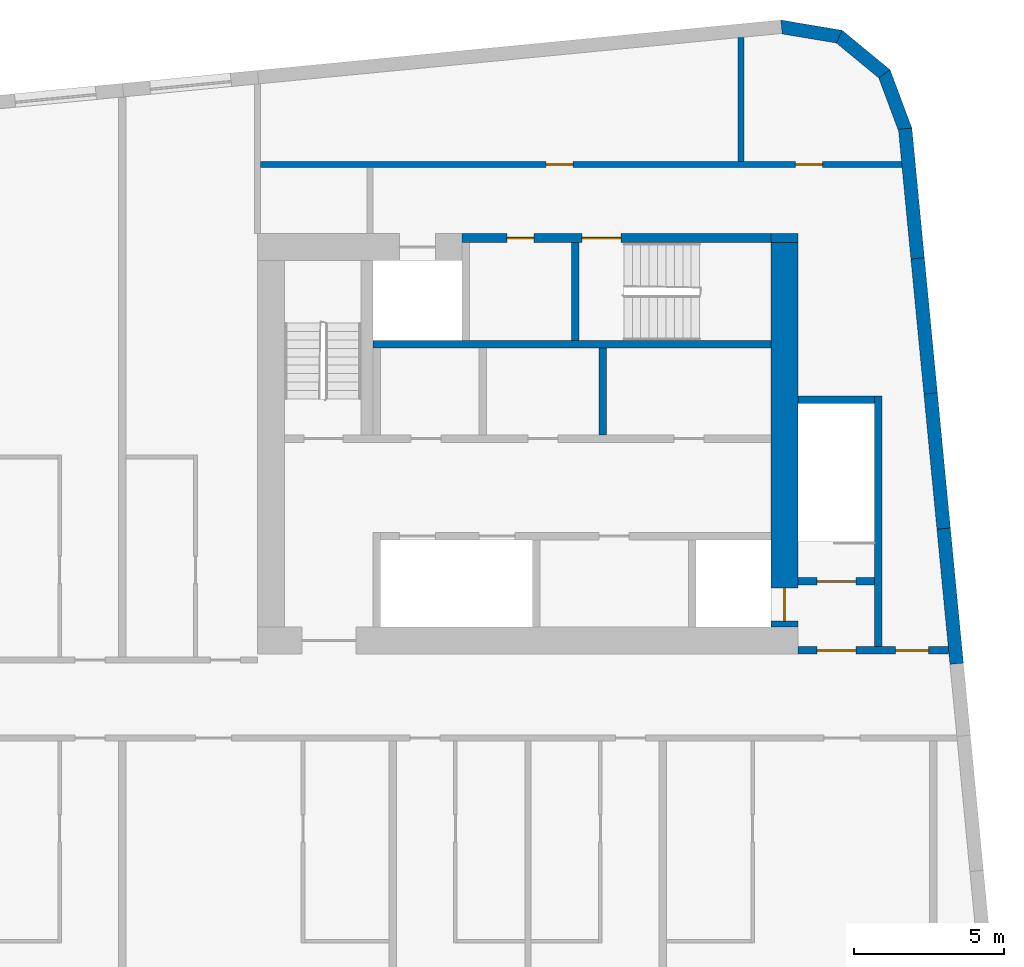
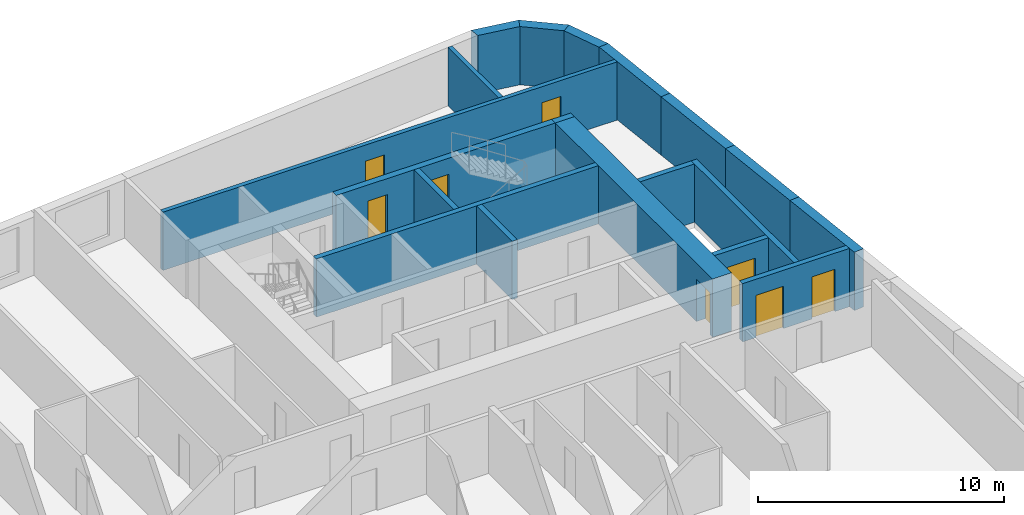
# One storey, part 8 of 11: 19 walls, 8 doors, 8 openings.
"""IFC4 building model written with IfcOpenShell, lengths in metres."""

from ifc_helpers import new_model, si_unit, direction, frame, frame_2d, origin, place, context, subcontext, project, spatial, polyline, rectangle, outline, extrude, material, layer, layer_set, type_object, element, fill, save


model = new_model("IFC4")

# Units and contexts
model_context = context("Model", 3, precision=1e-05, world=origin(), true_north=direction((0.0, 1.0)))
body_context = subcontext(model_context, "Body", "Model", "MODEL_VIEW")
ifc_project = project(units=[si_unit("LENGTHUNIT", "METRE"), si_unit("AREAUNIT", "SQUARE_METRE"), si_unit("VOLUMEUNIT", "CUBIC_METRE"), si_unit("PLANEANGLEUNIT", "RADIAN"), si_unit("MASSUNIT", "GRAM", prefix="KILO")], contexts=[model_context])

# Site, building, storey
site_placement = place(None, origin())
site = spatial("IfcSite", under=ifc_project, at=site_placement, CompositionType="ELEMENT")
building_placement = place(site_placement, origin())
building = spatial("IfcBuilding", under=site, at=building_placement, Name="Kajstack Hotel Tower", CompositionType="ELEMENT")
storey_placement = place(building_placement, frame((0.0, 0.0, 304.800048828125)))
storey = spatial("IfcBuildingStorey", under=building, at=storey_placement, Name="L77", CompositionType="ELEMENT", Elevation=304.800048828125)

# Wall
ifc_material_1 = material(Name="Concrete C60/75", Category="concrete")
ifc_layer_1 = layer(ifc_material_1, 0.89990234375)
ifc_layer_set_1 = layer_set([ifc_layer_1], Name="Core wall 900")
wall_type_1 = type_object("IfcWallType", Name="Core wall 900", PredefinedType="SHEAR", material=ifc_layer_set_1)
wall_1_placement = place(storey_placement, frame((30.60009765625, 15.35009765625, 0.0), z_axis=(0.0, 0.0, 1.0), x_axis=(1.0, 0.0, 0.0)))
element("IfcWall", 1, at=wall_1_placement, inside=storey, type_object=wall_type_1, Name="Core wall E RSW", PredefinedType="SHEAR", context=body_context, shape_type="SweptSolid", body=[
    extrude(rectangle(XDim=0.89990234375, YDim=0.300048828125, at=frame_2d((0.449951171875, 0.0))), origin(), (0.0, 0.0, 1.0), 2.89990234375),
])

# Wall, opening, door
wall_2_placement = place(storey_placement, frame((31.050048828125, 2.39990234375, 0.0), z_axis=(0.0, 0.0, 1.0), x_axis=(0.0, 1.0, 0.0)))
wall_2 = element("IfcWall", 2, at=wall_2_placement, inside=storey, type_object=wall_type_1, Name="Core wall E RW", PredefinedType="SHEAR", context=body_context, shape_type="SweptSolid", body=[
    extrude(rectangle(XDim=12.800048828125, YDim=0.89990234375, at=frame_2d((6.39990234375, 0.0))), origin(), (0.0, 0.0, 1.0), 2.89990234375),
])
opening_1_placement = place(wall_2_placement, frame((0.199951171875, 0.0, 0.0)))
opening_1 = element("IfcOpeningElement", 3, at=opening_1_placement, cuts=wall_2, Name="Opening LD-FF2", PredefinedType="OPENING", context=body_context, shape_type="SweptSolid", body=[
    extrude(rectangle(XDim=1.10009765625, YDim=2.10009765625, at=frame_2d((0.550048828125, 1.050048828125))), frame((0.0, 0.4599609375, 0.0), z_axis=(0.0, -1.0, 0.0), x_axis=(1.0, 0.0, 0.0)), (0.0, 0.0, 1.0), 0.919921875),
])
ifc_material_2 = material(Name="Stainless steel", Category="steel")
door_type_1 = type_object("IfcDoorType", Name="Fire-fighting lift landing door 1100", OperationType="SLIDING_TO_LEFT", PredefinedType="DOOR", material=ifc_material_2)
door_1_placement = place(opening_1_placement, origin())
door_1 = element("IfcDoor", 4, at=door_1_placement, inside=storey, type_object=door_type_1, Name="Landing door FF2", OperationType="SLIDING_TO_LEFT", OverallHeight=2.10009765625, OverallWidth=1.10009765625, PredefinedType="DOOR", context=body_context, shape_type="SweptSolid", body=[
    extrude(rectangle(XDim=1.10009765625, YDim=2.10009765625, at=frame_2d((0.550048828125, 1.050048828125))), frame((0.0, 0.02490234375, 0.0), z_axis=(0.0, -1.0, 0.0), x_axis=(1.0, 0.0, 0.0)), (0.0, 0.0, 1.0), 0.050048828125),
])
fill(opening_1, door_1)

# Walls
ifc_material_3 = material(Name="Concrete C40/50", Category="concrete")
ifc_layer_2 = layer(ifc_material_3, 0.449951171875)
ifc_layer_set_2 = layer_set([ifc_layer_2], Name="EW-CORE")
wall_type_2 = type_object("IfcWallType", Name="EW-CORE", PredefinedType="SOLIDWALL", material=ifc_layer_set_2)
for number, where, z_axis, x_axis, name in (
    (5, (36.78076171875, 1.178466796875, 0.0), (0.0, 0.0, 1.0), (-0.095856468129, 0.995395166513, 0.0), "E-wall-L77-08-04"),
    (6, (36.347412109375, 5.678466796875, 0.0), (0.0, 0.0, 1.0), (-0.095856468129, 0.995395166513, 0.0), "E-wall-L77-08-05"),
    (7, (35.9140625, 10.178466796875, 0.0), (0.0, 0.0, 1.0), (-0.09580296028, 0.995400317863, 0.0), "E-wall-L77-08-06"),
):
    element("IfcWall", number, at=place(storey_placement, frame(where, z_axis=z_axis, x_axis=x_axis)), inside=storey, type_object=wall_type_2, Name=name, PredefinedType="SOLIDWALL", context=body_context, shape_type="SweptSolid", body=[
        extrude(rectangle(XDim=4.520751953125, YDim=0.449951171875, at=frame_2d((2.26025390625, 0.0))), origin(), (0.0, 0.0, 1.0), 2.89990234375),
    ])
wall_3_placement = place(storey_placement, frame((35.48095703125, 14.678466796875, 0.0), z_axis=(0.0, 0.0, 1.0), x_axis=(-0.095879759522, 0.995392923279, 0.0)))
element("IfcWall", 8, at=wall_3_placement, inside=storey, type_object=wall_type_2, Name="E-wall-L77-08-07", PredefinedType="SOLIDWALL", context=body_context, shape_type="SweptSolid", body=[
    extrude(rectangle(XDim=4.33642578125, YDim=0.449951171875, at=frame_2d((2.168212890625, 0.0))), origin(), (0.0, 0.0, 1.0), 2.89990234375),
])
wall_4_placement = place(storey_placement, frame((35.078369140625, 18.9375, 0.0), z_axis=(0.0, 0.0, 1.0), x_axis=(-0.350192909346, 0.936677599948, 0.0)))
element("IfcWall", 9, at=wall_4_placement, inside=storey, type_object=wall_type_2, Name="E-wall-L77-09-00", PredefinedType="SOLIDWALL", context=body_context, shape_type="SweptSolid", body=[
    extrude(outline(polyline([(0.0, -0.22509765625), (2.070556640625, -0.22509765625), (1.949951171875, 0.224853515625), (0.12060546875, 0.224853515625), (0.0, -0.22509765625)])), origin(), (0.0, 0.0, 1.0), 2.89990234375),
])
wall_5_placement = place(storey_placement, frame((34.4208984375, 20.7822265625, 0.0), z_axis=(0.0, 0.0, 1.0), x_axis=(-0.771593176315, 0.636116318187, 0.0)))
element("IfcWall", 10, at=wall_5_placement, inside=storey, type_object=wall_type_2, Name="E-wall-L77-10-00", PredefinedType="SOLIDWALL", context=body_context, shape_type="SweptSolid", body=[
    extrude(outline(polyline([(0.0, -0.22509765625), (2.070556640625, -0.224853515625), (1.949951171875, 0.22509765625), (0.120361328125, 0.22509765625), (0.0, -0.22509765625)])), origin(), (0.0, 0.0, 1.0), 2.89990234375),
])
wall_6_placement = place(storey_placement, frame((32.92919921875, 22.051025390625, 0.0), z_axis=(0.0, 0.0, 1.0), x_axis=(-0.986298144721, 0.164972633245, 0.0)))
element("IfcWall", 11, at=wall_6_placement, inside=storey, type_object=wall_type_2, Name="E-wall-L77-11-00", PredefinedType="SOLIDWALL", context=body_context, shape_type="SweptSolid", body=[
    extrude(outline(polyline([(0.0, -0.224853515625), (2.0703125, -0.22509765625), (1.949951171875, 0.224853515625), (0.12060546875, 0.22509765625), (0.0, -0.224853515625)])), origin(), (0.0, 0.0, 1.0), 2.89990234375),
])
ifc_material_4 = material(Name="Concrete block masonry", Category="masonry")
ifc_layer_3 = layer(ifc_material_4, 0.25)
ifc_layer_set_3 = layer_set([ifc_layer_3], Name="Riser partition 250")
wall_type_3 = type_object("IfcWallType", Name="Riser partition 250", PredefinedType="PARTITIONING", material=ifc_layer_set_3)
wall_7_placement = place(storey_placement, frame((25.0, 8.800048828125, 0.0), z_axis=(0.0, 0.0, 1.0), x_axis=(0.0, 1.0, 0.0)))
element("IfcWall", 12, at=wall_7_placement, inside=storey, type_object=wall_type_3, Name="Partition E BF0", PredefinedType="PARTITIONING", context=body_context, shape_type="SweptSolid", body=[
    extrude(rectangle(XDim=2.89990234375, YDim=0.25, at=frame_2d((1.449951171875, 0.0))), origin(), (0.0, 0.0, 1.0), 2.89990234375),
])

# Wall, openings, doors
ifc_material_5 = material(Name="Gypsum board on steel studs, mineral wool", Category="steel")
ifc_layer_4 = layer(ifc_material_5, 0.199951171875)
ifc_layer_set_4 = layer_set([ifc_layer_4], Name="Service partition 200")
wall_type_4 = type_object("IfcWallType", Name="Service partition 200", PredefinedType="PARTITIONING", material=ifc_layer_set_4)
wall_8_placement = place(storey_placement, frame((31.5, 1.625, 0.0), z_axis=(0.0, 0.0, 1.0), x_axis=(1.0, 0.0, 0.0)))
wall_8 = element("IfcWall", 13, at=wall_8_placement, inside=storey, type_object=wall_type_4, Name="Partition E SN", PredefinedType="PARTITIONING", context=body_context, shape_type="SweptSolid", body=[
    extrude(rectangle(XDim=5.01171875, YDim=0.25, at=frame_2d((2.505859375, 0.0))), origin(), (0.0, 0.0, 1.0), 2.89990234375),
])
opening_2_placement = place(wall_8_placement, frame((0.625, 0.0, 0.0)))
opening_2 = element("IfcOpeningElement", 14, at=opening_2_placement, cuts=wall_8, Name="Opening 77E06", PredefinedType="OPENING", context=body_context, shape_type="SweptSolid", body=[
    extrude(rectangle(XDim=1.300048828125, YDim=2.10009765625, at=frame_2d((0.64990234375, 1.050048828125))), frame((0.0, 0.135009765625, 0.0), z_axis=(0.0, -1.0, 0.0), x_axis=(1.0, 0.0, 0.0)), (0.0, 0.0, 1.0), 0.27001953125),
])
opening_3_placement = place(wall_8_placement, frame((3.25, 0.0, 0.0)))
opening_3 = element("IfcOpeningElement", 15, at=opening_3_placement, cuts=wall_8, Name="Opening 77E08", PredefinedType="OPENING", context=body_context, shape_type="SweptSolid", body=[
    extrude(rectangle(XDim=1.10009765625, YDim=2.10009765625, at=frame_2d((0.550048828125, 1.050048828125))), frame((0.0, 0.135009765625, 0.0), z_axis=(0.0, -1.0, 0.0), x_axis=(1.0, 0.0, 0.0)), (0.0, 0.0, 1.0), 0.27001953125),
])
ifc_material_6 = material(Name="Steel leaf, fire-rated", Category="steel")
door_type_2 = type_object("IfcDoorType", Name="Fire lobby door 1300", OperationType="SINGLE_SWING_LEFT", PredefinedType="DOOR", material=ifc_material_6)
door_2_placement = place(opening_2_placement, origin())
door_2 = element("IfcDoor", 16, at=door_2_placement, inside=storey, type_object=door_type_2, Name="Door 77E06", OperationType="SINGLE_SWING_LEFT", OverallHeight=2.10009765625, OverallWidth=1.300048828125, PredefinedType="DOOR", context=body_context, shape_type="SweptSolid", body=[
    extrude(rectangle(XDim=1.300048828125, YDim=2.10009765625, at=frame_2d((0.64990234375, 1.050048828125))), frame((0.0, 0.02490234375, 0.0), z_axis=(0.0, -1.0, 0.0), x_axis=(1.0, 0.0, 0.0)), (0.0, 0.0, 1.0), 0.050048828125),
])
fill(opening_2, door_2)
ifc_material_7 = material(Name="Timber leaf, fire-rated", Category="wood")
door_type_3 = type_object("IfcDoorType", Name="Service corridor door 1100", OperationType="SINGLE_SWING_LEFT", PredefinedType="DOOR", material=ifc_material_7)
door_3_placement = place(opening_3_placement, origin())
door_3 = element("IfcDoor", 17, at=door_3_placement, inside=storey, type_object=door_type_3, Name="Door 77E08", OperationType="SINGLE_SWING_LEFT", OverallHeight=2.10009765625, OverallWidth=1.10009765625, PredefinedType="DOOR", context=body_context, shape_type="SweptSolid", body=[
    extrude(rectangle(XDim=1.10009765625, YDim=2.10009765625, at=frame_2d((0.550048828125, 1.050048828125))), frame((0.0, 0.02490234375, 0.0), z_axis=(0.0, -1.0, 0.0), x_axis=(1.0, 0.0, 0.0)), (0.0, 0.0, 1.0), 0.050048828125),
])
fill(opening_3, door_3)

wall_9_placement = place(storey_placement, frame((13.60009765625, 17.800048828125, 0.0), z_axis=(0.0, 0.0, 1.0), x_axis=(1.0, 0.0, 0.0)))
wall_9 = element("IfcWall", 18, at=wall_9_placement, inside=storey, type_object=wall_type_4, Name="Partition E SLN", PredefinedType="PARTITIONING", context=body_context, shape_type="SweptSolid", body=[
    extrude(rectangle(XDim=21.35400390625, YDim=0.199951171875, at=frame_2d((10.677001953125, 0.0))), origin(), (0.0, 0.0, 1.0), 2.89990234375),
])
opening_4_placement = place(wall_9_placement, frame((17.8125, 0.0, 0.0)))
opening_4 = element("IfcOpeningElement", 19, at=opening_4_placement, cuts=wall_9, Name="Opening 77E16", PredefinedType="OPENING", context=body_context, shape_type="SweptSolid", body=[
    extrude(rectangle(XDim=0.89990234375, YDim=2.10009765625, at=frame_2d((0.449951171875, 1.050048828125))), frame((0.0, 0.10986328125, 0.0), z_axis=(0.0, -1.0, 0.0), x_axis=(1.0, 0.0, 0.0)), (0.0, 0.0, 1.0), 0.219970703125),
])
opening_5_placement = place(wall_9_placement, frame((9.512451171875, 0.0, 0.0)))
opening_5 = element("IfcOpeningElement", 20, at=opening_5_placement, cuts=wall_9, Name="Opening 77E17", PredefinedType="OPENING", context=body_context, shape_type="SweptSolid", body=[
    extrude(rectangle(XDim=0.89990234375, YDim=2.10009765625, at=frame_2d((0.449951171875, 1.050048828125))), frame((0.0, 0.10986328125, 0.0), z_axis=(0.0, -1.0, 0.0), x_axis=(1.0, 0.0, 0.0)), (0.0, 0.0, 1.0), 0.219970703125),
])
door_type_4 = type_object("IfcDoorType", Name="Service door 900", OperationType="SINGLE_SWING_LEFT", PredefinedType="DOOR", material=ifc_material_7)
door_4_placement = place(opening_4_placement, origin())
door_4 = element("IfcDoor", 21, at=door_4_placement, inside=storey, type_object=door_type_4, Name="Door 77E16", OperationType="SINGLE_SWING_LEFT", OverallHeight=2.10009765625, OverallWidth=0.89990234375, PredefinedType="DOOR", context=body_context, shape_type="SweptSolid", body=[
    extrude(rectangle(XDim=0.89990234375, YDim=2.10009765625, at=frame_2d((0.449951171875, 1.050048828125))), frame((0.0, 0.02490234375, 0.0), z_axis=(0.0, -1.0, 0.0), x_axis=(1.0, 0.0, 0.0)), (0.0, 0.0, 1.0), 0.050048828125),
])
fill(opening_4, door_4)
door_5_placement = place(opening_5_placement, origin())
door_5 = element("IfcDoor", 22, at=door_5_placement, inside=storey, type_object=door_type_4, Name="Door 77E17", OperationType="SINGLE_SWING_LEFT", OverallHeight=2.10009765625, OverallWidth=0.89990234375, PredefinedType="DOOR", context=body_context, shape_type="SweptSolid", body=[
    extrude(rectangle(XDim=0.89990234375, YDim=2.10009765625, at=frame_2d((0.449951171875, 1.050048828125))), frame((0.0, 0.02490234375, 0.0), z_axis=(0.0, -1.0, 0.0), x_axis=(1.0, 0.0, 0.0)), (0.0, 0.0, 1.0), 0.050048828125),
])
fill(opening_5, door_5)

# Wall
wall_10_placement = place(storey_placement, frame((29.60009765625, 17.89990234375, 0.0), z_axis=(0.0, 0.0, 1.0), x_axis=(0.0, 1.0, 0.0)))
element("IfcWall", 23, at=wall_10_placement, inside=storey, type_object=wall_type_4, Name="Partition E SLP0", PredefinedType="PARTITIONING", context=body_context, shape_type="SweptSolid", body=[
    extrude(rectangle(XDim=4.135986328125, YDim=0.199951171875, at=frame_2d((2.06787109375, 0.0))), origin(), (0.0, 0.0, 1.0), 2.89990234375),
])

# Wall, openings, doors
ifc_material_8 = material(Name="Concrete C50/60", Category="concrete")
ifc_layer_5 = layer(ifc_material_8, 0.25)
ifc_layer_set_5 = layer_set([ifc_layer_5], Name="Shaft wall 250")
wall_type_5 = type_object("IfcWallType", Name="Shaft wall 250", PredefinedType="SHEAR", material=ifc_layer_set_5)
wall_11_placement = place(storey_placement, frame((20.300048828125, 15.35009765625, 0.0), z_axis=(0.0, 0.0, 1.0), x_axis=(1.0, 0.0, 0.0)))
wall_11 = element("IfcWall", 24, at=wall_11_placement, inside=storey, type_object=wall_type_5, Name="Core wall E RSS", PredefinedType="SHEAR", context=body_context, shape_type="SweptSolid", body=[
    extrude(rectangle(XDim=10.300048828125, YDim=0.300048828125, at=frame_2d((5.14990234375, 0.0))), origin(), (0.0, 0.0, 1.0), 2.89990234375),
])
opening_6_placement = place(wall_11_placement, frame((4.0, 0.0, 0.0)))
opening_6 = element("IfcOpeningElement", 25, at=opening_6_placement, cuts=wall_11, Name="Opening 77E10", PredefinedType="OPENING", context=body_context, shape_type="SweptSolid", body=[
    extrude(rectangle(XDim=1.300048828125, YDim=2.10009765625, at=frame_2d((0.64990234375, 1.050048828125))), frame((0.0, 0.159912109375, 0.0), z_axis=(0.0, -1.0, 0.0), x_axis=(1.0, 0.0, 0.0)), (0.0, 0.0, 1.0), 0.320068359375),
])
opening_7_placement = place(wall_11_placement, frame((1.5, 0.0, 0.0)))
opening_7 = element("IfcOpeningElement", 26, at=opening_7_placement, cuts=wall_11, Name="Opening 77E11", PredefinedType="OPENING", context=body_context, shape_type="SweptSolid", body=[
    extrude(rectangle(XDim=0.89990234375, YDim=2.10009765625, at=frame_2d((0.449951171875, 1.050048828125))), frame((0.0, 0.159912109375, 0.0), z_axis=(0.0, -1.0, 0.0), x_axis=(1.0, 0.0, 0.0)), (0.0, 0.0, 1.0), 0.320068359375),
])
door_6_placement = place(opening_7_placement, origin())
door_6 = element("IfcDoor", 27, at=door_6_placement, inside=storey, type_object=door_type_4, Name="Door 77E11", OperationType="SINGLE_SWING_RIGHT", OverallHeight=2.10009765625, OverallWidth=0.89990234375, PredefinedType="DOOR", context=body_context, shape_type="SweptSolid", body=[
    extrude(rectangle(XDim=0.89990234375, YDim=2.10009765625, at=frame_2d((0.449951171875, 1.050048828125))), frame((0.0, 0.02490234375, 0.0), z_axis=(0.0, -1.0, 0.0), x_axis=(1.0, 0.0, 0.0)), (0.0, 0.0, 1.0), 0.050048828125),
])
fill(opening_7, door_6)
door_type_5 = type_object("IfcDoorType", Name="Stair door 1300", OperationType="SINGLE_SWING_LEFT", PredefinedType="DOOR", material=ifc_material_6)
door_7_placement = place(opening_6_placement, origin())
door_7 = element("IfcDoor", 28, at=door_7_placement, inside=storey, type_object=door_type_5, Name="Door 77E10", OperationType="SINGLE_SWING_LEFT", OverallHeight=2.10009765625, OverallWidth=1.300048828125, PredefinedType="DOOR", context=body_context, shape_type="SweptSolid", body=[
    extrude(rectangle(XDim=1.300048828125, YDim=2.10009765625, at=frame_2d((0.64990234375, 1.050048828125))), frame((0.0, 0.02490234375, 0.0), z_axis=(0.0, -1.0, 0.0), x_axis=(1.0, 0.0, 0.0)), (0.0, 0.0, 1.0), 0.050048828125),
])
fill(opening_6, door_7)

# Wall
wall_12_placement = place(storey_placement, frame((17.35009765625, 11.824951171875, 0.0), z_axis=(0.0, 0.0, 1.0), x_axis=(1.0, 0.0, 0.0)))
element("IfcWall", 29, at=wall_12_placement, inside=storey, type_object=wall_type_5, Name="Core wall E RB", PredefinedType="SHEAR", context=body_context, shape_type="SweptSolid", body=[
    extrude(rectangle(XDim=13.25, YDim=0.25, at=frame_2d((6.625, 0.0))), origin(), (0.0, 0.0, 1.0), 2.89990234375),
])

# Wall, opening, door
ifc_layer_6 = layer(ifc_material_3, 0.25)
ifc_layer_set_6 = layer_set([ifc_layer_6], Name="Stair enclosure wall 250")
wall_type_6 = type_object("IfcWallType", Name="Stair enclosure wall 250", PredefinedType="SHEAR", material=ifc_layer_set_6)
wall_13_placement = place(storey_placement, frame((31.5, 3.925048828125, 0.0), z_axis=(0.0, 0.0, 1.0), x_axis=(1.0, 0.0, 0.0)))
wall_13 = element("IfcWall", 30, at=wall_13_placement, inside=storey, type_object=wall_type_6, Name="Core wall E W1N", PredefinedType="SHEAR", context=body_context, shape_type="SweptSolid", body=[
    extrude(rectangle(XDim=2.550048828125, YDim=0.25, at=frame_2d((1.27490234375, 0.0))), origin(), (0.0, 0.0, 1.0), 2.89990234375),
])
opening_8_placement = place(wall_13_placement, frame((0.625, 0.0, 0.0)))
opening_8 = element("IfcOpeningElement", 31, at=opening_8_placement, cuts=wall_13, Name="Opening 77E07", PredefinedType="OPENING", context=body_context, shape_type="SweptSolid", body=[
    extrude(rectangle(XDim=1.300048828125, YDim=2.10009765625, at=frame_2d((0.64990234375, 1.050048828125))), frame((0.0, 0.135009765625, 0.0), z_axis=(0.0, -1.0, 0.0), x_axis=(1.0, 0.0, 0.0)), (0.0, 0.0, 1.0), 0.27001953125),
])
door_8_placement = place(opening_8_placement, origin())
door_8 = element("IfcDoor", 32, at=door_8_placement, inside=storey, type_object=door_type_5, Name="Door 77E07", OperationType="SINGLE_SWING_LEFT", OverallHeight=2.10009765625, OverallWidth=1.300048828125, PredefinedType="DOOR", context=body_context, shape_type="SweptSolid", body=[
    extrude(rectangle(XDim=1.300048828125, YDim=2.10009765625, at=frame_2d((0.64990234375, 1.050048828125))), frame((0.0, 0.02490234375, 0.0), z_axis=(0.0, -1.0, 0.0), x_axis=(1.0, 0.0, 0.0)), (0.0, 0.0, 1.0), 0.050048828125),
])
fill(opening_8, door_8)

# Walls
wall_14_placement = place(storey_placement, frame((34.175048828125, 1.75, 0.0), z_axis=(0.0, 0.0, 1.0), x_axis=(0.0, 1.0, 0.0)))
element("IfcWall", 33, at=wall_14_placement, inside=storey, type_object=wall_type_6, Name="Core wall E W1W", PredefinedType="SHEAR", context=body_context, shape_type="SweptSolid", body=[
    extrude(rectangle(XDim=8.35009765625, YDim=0.25, at=frame_2d((4.175048828125, 0.0))), origin(), (0.0, 0.0, 1.0), 2.89990234375),
])
wall_15_placement = place(storey_placement, frame((31.5, 9.97509765625, 0.0), z_axis=(0.0, 0.0, 1.0), x_axis=(1.0, 0.0, 0.0)))
element("IfcWall", 34, at=wall_15_placement, inside=storey, type_object=wall_type_6, Name="Core wall E W1S", PredefinedType="SHEAR", context=body_context, shape_type="SweptSolid", body=[
    extrude(rectangle(XDim=2.550048828125, YDim=0.25, at=frame_2d((1.27490234375, 0.0))), origin(), (0.0, 0.0, 1.0), 2.89990234375),
])
ifc_layer_7 = layer(ifc_material_8, 0.35009765625)
ifc_layer_set_7 = layer_set([ifc_layer_7], Name="Stair enclosure wall 350")
wall_type_7 = type_object("IfcWallType", Name="Stair enclosure wall 350", PredefinedType="SHEAR", material=ifc_layer_set_7)
wall_16_placement = place(storey_placement, frame((24.074951171875, 11.949951171875, 0.0), z_axis=(0.0, 0.0, 1.0), x_axis=(0.0, 1.0, 0.0)))
element("IfcWall", 35, at=wall_16_placement, inside=storey, type_object=wall_type_7, Name="Core wall E W3E", PredefinedType="SHEAR", context=body_context, shape_type="SweptSolid", body=[
    extrude(rectangle(XDim=3.25, YDim=0.25, at=frame_2d((1.625, 0.0))), origin(), (0.0, 0.0, 1.0), 2.89990234375),
])

save(model, "model.ifc")
